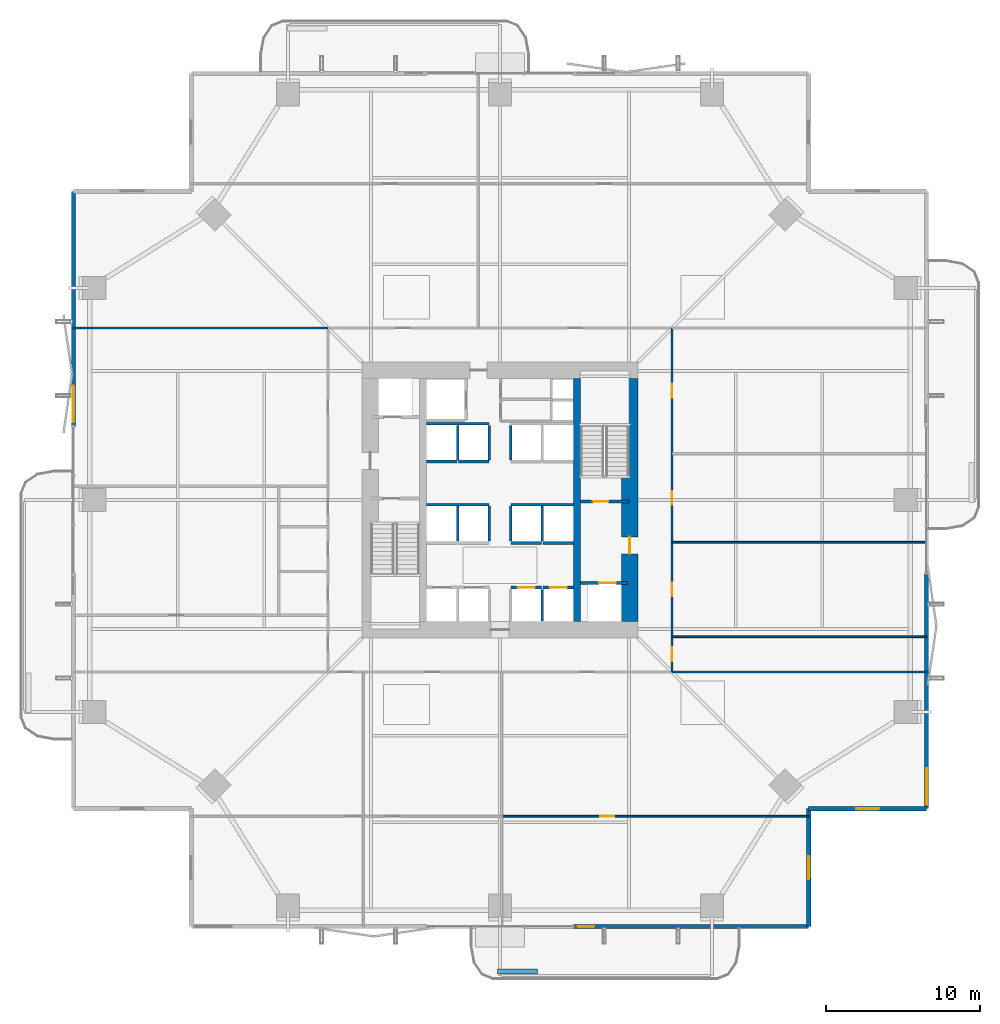
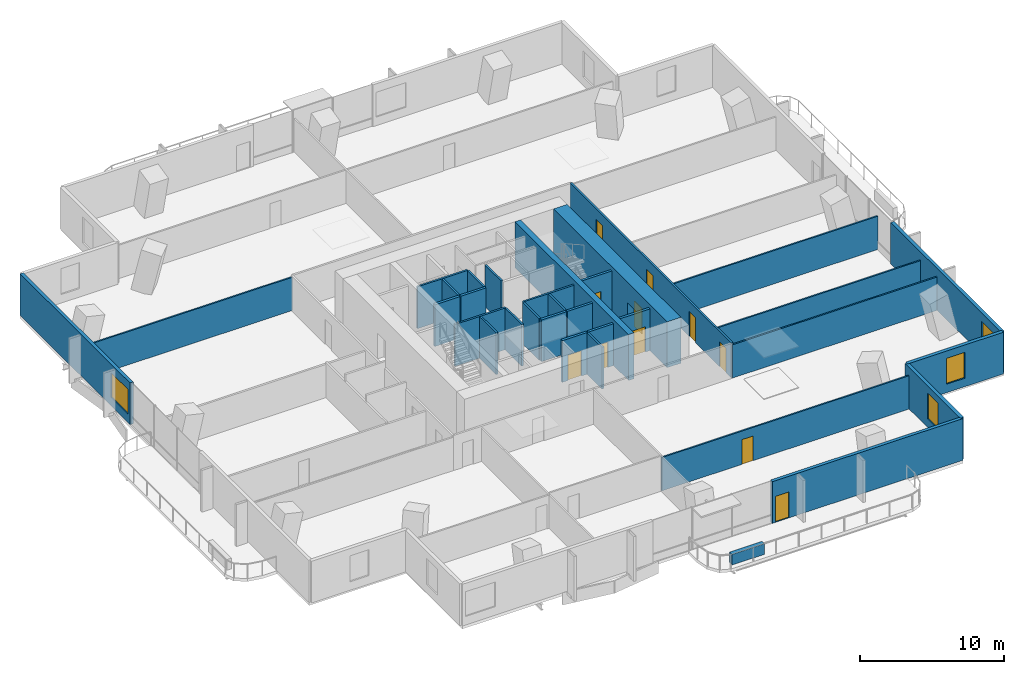
# One storey, part 18 of 24: 33 walls, 11 doors, 4 windows, 15 openings.
"""IFC4 building model written with IfcOpenShell, lengths in metres."""

import ifcopenshell
import ifcopenshell.guid

model = None  # the IFC model being written
_history = None  # IfcOwnerHistory: only IFC2X3 demands one
_inside = {}  # id of a spatial element -> (the spatial element, [elements in it])
_under = {}  # id of a project, library or spatial element -> (it, [spatial elements below it])
_declared = {}  # id of a project -> (the project, [libraries it declares])
_typed = {}  # id of a type object -> (the type object, [elements of that type])
_made_of = {}  # id of a material, layer set ... -> (it, [elements and type objects made of it])


def new_model(schema):
    """Start an empty IFC model of exactly this schema.

    Asked for "IFC4X3", IfcOpenShell would pick the latest addendum, in which some entities
    have other attributes; the version numbers below select the first issue.
    IFC2X3 requires an IfcOwnerHistory on every rooted entity: one is made here for all.
    """
    global model, _history
    if schema == "IFC4X3":
        model = ifcopenshell.file(schema_version=(4, 3, 0, 0))
    else:
        model = ifcopenshell.file(schema=schema)
    _inside.clear()
    _under.clear()
    _declared.clear()
    _typed.clear()
    _made_of.clear()
    _history = None
    if model.schema == "IFC2X3":
        org = make("IfcOrganization", Name="unknown")
        user = make(
            "IfcPersonAndOrganization",
            ThePerson=make("IfcPerson", FamilyName="unknown"),
            TheOrganization=org,
        )
        app = make(
            "IfcApplication",
            ApplicationDeveloper=org,
            Version="unknown",
            ApplicationFullName="unknown",
            ApplicationIdentifier="unknown",
        )
        _history = make(
            "IfcOwnerHistory",
            OwningUser=user,
            OwningApplication=app,
            ChangeAction="ADDED",
            CreationDate=0,
        )
    return model


def make(cls, **values):
    """One entity of the class cls with the attributes given. An attribute that is None is left unset."""
    return model.create_entity(
        cls, **{name: value for name, value in values.items() if value is not None}
    )


def rooted(cls, **values):
    """An entity with a GlobalId (a new one), such as an element, a storey or a relation."""
    return make(cls, GlobalId=ifcopenshell.guid.new(), OwnerHistory=_history, **values)


def si_unit(unit_type, name, prefix=None):
    """IfcSIUnit, for example si_unit("LENGTHUNIT", "METRE", prefix="MILLI")."""
    return make("IfcSIUnit", UnitType=unit_type, Prefix=prefix, Name=name)


def assignment(units):
    """IfcUnitAssignment: the units of a project."""
    return None if units is None else make("IfcUnitAssignment", Units=units)


def point(xyz):
    """IfcCartesianPoint."""
    return None if xyz is None else make("IfcCartesianPoint", Coordinates=xyz)


def direction(xyz):
    """IfcDirection."""
    return None if xyz is None else make("IfcDirection", DirectionRatios=xyz)


def frame(location, z_axis=None, x_axis=None):
    """IfcAxis2Placement3D, a coordinate frame: its origin and axes. An axis left out is left unset."""
    return make(
        "IfcAxis2Placement3D",
        Location=point(location),
        Axis=direction(z_axis),
        RefDirection=direction(x_axis),
    )


def frame_2d(location, x_axis=None):
    """IfcAxis2Placement2D, a coordinate frame in the plane: its origin and x axis."""
    return make(
        "IfcAxis2Placement2D", Location=point(location), RefDirection=direction(x_axis)
    )


def origin():
    """The frame at (0, 0, 0) with its axes left unset."""
    return frame((0.0, 0.0, 0.0))


def place(relative_to, where):
    """IfcLocalPlacement: puts the frame where relative to a parent placement (None: the world)."""
    return make(
        "IfcLocalPlacement", PlacementRelTo=relative_to, RelativePlacement=where
    )


def context(
    kind, dimensions, precision=None, world=None, true_north=None, identifier=None
):
    """IfcGeometricRepresentationContext, for example the 3D "Model" context."""
    return make(
        "IfcGeometricRepresentationContext",
        ContextIdentifier=identifier,
        ContextType=kind,
        CoordinateSpaceDimension=dimensions,
        Precision=precision,
        WorldCoordinateSystem=world,
        TrueNorth=true_north,
    )


def subcontext(parent, identifier, kind, view, scale=None):
    """IfcGeometricRepresentationSubContext, for example "Body" below "Model"."""
    return make(
        "IfcGeometricRepresentationSubContext",
        ContextIdentifier=identifier,
        ContextType=kind,
        ParentContext=parent,
        TargetScale=scale,
        TargetView=view,
    )


def project(units=None, contexts=None):
    """IfcProject with its units and contexts."""
    return rooted(
        "IfcProject",
        Name="project",
        RepresentationContexts=contexts,
        UnitsInContext=assignment(units),
    )


def spatial(cls, under=None, at=None, **own):
    """A site, building, storey or space (cls), placed at a placement, below another one or the project."""
    s = rooted(cls, ObjectPlacement=at, **own)
    if under is not None:
        _under.setdefault(under.id(), (under, []))[1].append(s)
    return s


def profile(cls, at=None, kind="AREA", **sizes):
    """A parametric profile (cls). Its sizes go by their IFC names, for example OverallWidth=200.0."""
    return make(cls, ProfileType=kind, Position=at, **sizes)


def rectangle(**sizes):
    """IfcRectangleProfileDef."""
    return profile("IfcRectangleProfileDef", **sizes)


def extrude(swept, where, along, depth):
    """IfcExtrudedAreaSolid: the profile swept, set in the frame where, extruded along a direction by depth."""
    return make(
        "IfcExtrudedAreaSolid",
        SweptArea=swept,
        Position=where,
        ExtrudedDirection=direction(along),
        Depth=depth,
    )


def shape(context_of_items, identifier, shape_type, items):
    """IfcShapeRepresentation: the items that make up one representation, for example the "Body"."""
    return make(
        "IfcShapeRepresentation",
        ContextOfItems=context_of_items,
        RepresentationIdentifier=identifier,
        RepresentationType=shape_type,
        Items=items,
    )


def material(Name=None, Category=None):
    """IfcMaterial."""
    return make("IfcMaterial", Name=Name, Category=Category)


def layer(
    of_material, thickness, ventilated=None, Name=None, Category=None, Priority=None
):
    """IfcMaterialLayer: one layer of a wall or slab, of a material (None: an air gap)."""
    return make(
        "IfcMaterialLayer",
        Material=of_material,
        LayerThickness=thickness,
        IsVentilated=ventilated,
        Name=Name,
        Category=Category,
        Priority=Priority,
    )


def layer_set(layers, Name=None):
    """IfcMaterialLayerSet."""
    return make("IfcMaterialLayerSet", MaterialLayers=layers, LayerSetName=Name)


def made_of(thing, what):
    """Note that an element or type object is made of a material, layer set ...; save() writes the relation."""
    if what is not None:
        _made_of.setdefault(what.id(), (what, []))[1].append(thing)
    return thing


def type_object(cls, material=None, **own):
    """A type object (cls), such as IfcWallType, which elements share."""
    return made_of(rooted(cls, **own), material)


def element(
    cls,
    number,
    at=None,
    inside=None,
    cuts=None,
    type_object=None,
    material=None,
    context=None,
    identifier="Body",
    shape_type=None,
    held_by="IfcProductDefinitionShape",
    body=None,
    shapes=None,
    **own,
):
    """One element of the class cls, such as IfcWall. Its Tag is "e" and its number.

    at: its placement. inside: the storey or other place that contains it. cuts: it is an
    opening in that element (IfcRelVoidsElement). A single representation is given by context,
    identifier, shape_type and body (its items); several are given by shapes. held_by: the class
    of the entity that holds the representations. save() writes the other relations.
    """
    e = rooted(cls, Tag="e%d" % number, ObjectPlacement=at, **own)
    if body is not None:
        shapes = [shape(context, identifier, shape_type, body)]
    if shapes is not None:
        e.Representation = make(held_by, Representations=shapes)
    if inside is not None:
        _inside.setdefault(inside.id(), (inside, []))[1].append(e)
    if cuts is not None:
        rooted(
            "IfcRelVoidsElement", RelatingBuildingElement=cuts, RelatedOpeningElement=e
        )
    if type_object is not None:
        _typed.setdefault(type_object.id(), (type_object, []))[1].append(e)
    return made_of(e, material)


def fill(opening, filler):
    """IfcRelFillsElement: the door or window that sits in an opening."""
    return rooted(
        "IfcRelFillsElement",
        RelatingOpeningElement=opening,
        RelatedBuildingElement=filler,
    )


def aggregate(whole, parts):
    """IfcRelAggregates: a whole, such as a stair, and the parts it consists of."""
    return rooted("IfcRelAggregates", RelatingObject=whole, RelatedObjects=parts)


def save(model, path):
    """Write the relations noted so far, then the file.

    IfcRelAggregates (storeys below a building ...), IfcRelContainedInSpatialStructure (elements
    in a storey), IfcRelDefinesByType, IfcRelAssociatesMaterial and IfcRelDeclares: one each for
    every whole, place, type object, material and project.
    """
    for whole, parts in _under.values():
        aggregate(whole, parts)
    for where, things in _inside.values():
        rooted(
            "IfcRelContainedInSpatialStructure",
            RelatedElements=things,
            RelatingStructure=where,
        )
    for kind, things in _typed.values():
        rooted("IfcRelDefinesByType", RelatedObjects=things, RelatingType=kind)
    for what, things in _made_of.values():
        rooted("IfcRelAssociatesMaterial", RelatedObjects=things, RelatingMaterial=what)
    for by, libraries in _declared.values():
        rooted("IfcRelDeclares", RelatingContext=by, RelatedDefinitions=libraries)
    model.write(path)


model = new_model("IFC4")

# Units and contexts
model_context = context("Model", 3, precision=1e-05, world=origin(), true_north=direction((0.0, 1.0)))
body_context = subcontext(model_context, "Body", "Model", "MODEL_VIEW")
ifc_project = project(units=[si_unit("LENGTHUNIT", "METRE"), si_unit("AREAUNIT", "SQUARE_METRE"), si_unit("VOLUMEUNIT", "CUBIC_METRE"), si_unit("PLANEANGLEUNIT", "RADIAN"), si_unit("MASSUNIT", "GRAM", prefix="KILO")], contexts=[model_context])

# Site, building, storey
site_placement = place(None, origin())
site = spatial("IfcSite", under=ifc_project, at=site_placement, CompositionType="ELEMENT")
building_placement = place(site_placement, origin())
building = spatial("IfcBuilding", under=site, at=building_placement, Name="Belovzor Exchange Tower", CompositionType="ELEMENT")
storey_placement = place(building_placement, frame((0.0, 0.0, 104.10009765625)))
storey = spatial("IfcBuildingStorey", under=building, at=storey_placement, Name="L25", CompositionType="ELEMENT", Elevation=104.10009765625)

# Wall, opening, door
ifc_material_1 = material(Name="Acoustic Plasterboard on Galvanised Studs", Category="gypsum")
ifc_layer_1 = layer(ifc_material_1, 0.1201171875)
ifc_layer_set_1 = layer_set([ifc_layer_1], Name="Acoustic Plasterboard on Galvanised Studs")
wall_type_1 = type_object("IfcWallType", Name="Acoustic Double-Stud Partition Wall 120", PredefinedType="PARTITIONING", material=ifc_layer_set_1)
wall_1_placement = place(storey_placement, frame((28.904052734375, 8.2119140625, 0.0), z_axis=(0.0, 0.0, 1.0), x_axis=(1.0, 0.0, 0.0)))
wall_1 = element("IfcWall", 1, at=wall_1_placement, inside=storey, type_object=wall_type_1, Name="W-P120 Partition Wall W-L25-SHDIV-2", PredefinedType="PARTITIONING", context=body_context, shape_type="SweptSolid", body=[
    extrude(rectangle(XDim=19.995849609375, YDim=0.1201171875, at=frame_2d((9.998046875, 0.0))), origin(), (0.0, 0.0, 1.0), 2.824951171875),
])
opening_1_placement = place(wall_1_placement, frame((6.431884765625, 0.0, 0.0)))
opening_1 = element("IfcOpeningElement", 2, at=opening_1_placement, cuts=wall_1, Name="Opening D-INT-090", PredefinedType="OPENING", context=body_context, shape_type="SweptSolid", body=[
    extrude(rectangle(XDim=0.89990234375, YDim=2.10009765625, at=frame_2d((0.449951171875, 1.050048828125))), frame((0.0, 0.070068359375, 0.0), z_axis=(0.0, -1.0, 0.0), x_axis=(1.0, 0.0, 0.0)), (0.0, 0.0, 1.0), 0.14013671875),
])
ifc_material_2 = material(Name="Veneered Hardwood Acoustic Leaf", Category="wood")
door_type_1 = type_object("IfcDoorType", Name="Trading Suite Acoustic Single Door 900x2100", OperationType="NOTDEFINED", PredefinedType="DOOR", material=ifc_material_2)
door_1_placement = place(opening_1_placement, origin())
door_1 = element("IfcDoor", 3, at=door_1_placement, inside=storey, type_object=door_type_1, Name="D-INT-090 Trading Suite Acoustic Single Door 900x2100", OperationType="SINGLE_SWING_LEFT", OverallHeight=2.10009765625, OverallWidth=0.89990234375, PredefinedType="DOOR", context=body_context, shape_type="SweptSolid", body=[
    extrude(rectangle(XDim=0.89990234375, YDim=2.10009765625, at=frame_2d((0.449951171875, 1.050048828125))), frame((0.0, 0.02490234375, 0.0), z_axis=(0.0, -1.0, 0.0), x_axis=(1.0, 0.0, 0.0)), (0.0, 0.0, 1.0), 0.050048828125),
])
fill(opening_1, door_1)

# Walls
for number, where, z_axis, x_axis, name in (
    (4, (40.0, 17.60009765625, 0.0), (0.0, 0.0, 1.0), (1.0, 0.0, 0.0), "W-P120 Partition Wall W-L25-END-SE"),
    (5, (1.030029296875, 40.0, 0.0), (0.0, 0.0, 1.0), (1.0, 0.0, 0.0), "W-P120 Partition Wall W-L25-END-NW"),
    (6, (40.0, 19.89990234375, 0.0), (0.0, 0.0, 1.0), (1.0, 0.0, 0.0), "W-P120 Partition Wall W-L25-EDIV-1"),
    (7, (40.0, 26.053955078125, 0.0), (0.0, 0.0, 1.0), (1.0, 0.0, 0.0), "W-P120 Partition Wall W-L25-EDIV-2"),
):
    element("IfcWall", number, at=place(storey_placement, frame(where, z_axis=z_axis, x_axis=x_axis)), inside=storey, type_object=wall_type_1, Name=name, PredefinedType="PARTITIONING", context=body_context, shape_type="SweptSolid", body=[
        extrude(rectangle(XDim=16.570068359375, YDim=0.1201171875, at=frame_2d((8.28515625, 0.0))), origin(), (0.0, 0.0, 1.0), 2.824951171875),
    ])

# Wall, openings, doors
ifc_material_3 = material(Name="Fire-Rated Gypsum Block and Mineral Wool", Category="gypsum")
ifc_layer_2 = layer(ifc_material_3, 0.14990234375)
ifc_layer_set_2 = layer_set([ifc_layer_2], Name="Fire-Rated Gypsum Block and Mineral Wool")
wall_type_2 = type_object("IfcWallType", Name="Fire-Rated Gypsum Block Corridor Wall 150", PredefinedType="PARTITIONING", material=ifc_layer_set_2)
wall_2_placement = place(storey_placement, frame((40.0, 17.60009765625, 0.0), z_axis=(0.0, 0.0, 1.0), x_axis=(0.0, 1.0, 0.0)))
wall_2 = element("IfcWall", 8, at=wall_2_placement, inside=storey, type_object=wall_type_2, Name="W-P150 Partition Wall W-L25-CE", PredefinedType="PARTITIONING", context=body_context, shape_type="SweptSolid", body=[
    extrude(rectangle(XDim=22.39990234375, YDim=0.14990234375, at=frame_2d((11.199951171875, 0.0))), origin(), (0.0, 0.0, 1.0), 2.974853515625),
])
opening_2_placement = place(wall_2_placement, frame((0.699951171875, 0.0, 0.0)))
opening_2 = element("IfcOpeningElement", 9, at=opening_2_placement, cuts=wall_2, Name="Opening D-INT-090", PredefinedType="OPENING", context=body_context, shape_type="SweptSolid", body=[
    extrude(rectangle(XDim=0.89990234375, YDim=2.10009765625, at=frame_2d((0.449951171875, 1.050048828125))), frame((0.0, 0.0849609375, 0.0), z_axis=(0.0, -1.0, 0.0), x_axis=(1.0, 0.0, 0.0)), (0.0, 0.0, 1.0), 0.169921875),
])
opening_3_placement = place(wall_2_placement, frame((4.927001953125, 0.0, 0.0)))
opening_3 = element("IfcOpeningElement", 10, at=opening_3_placement, cuts=wall_2, Name="Opening D-INT-090", PredefinedType="OPENING", context=body_context, shape_type="SweptSolid", body=[
    extrude(rectangle(XDim=0.89990234375, YDim=2.10009765625, at=frame_2d((0.449951171875, 1.050048828125))), frame((0.0, 0.0849609375, 0.0), z_axis=(0.0, -1.0, 0.0), x_axis=(1.0, 0.0, 0.0)), (0.0, 0.0, 1.0), 0.169921875),
])
opening_4_placement = place(wall_2_placement, frame((10.885986328125, 0.0, 0.0)))
opening_4 = element("IfcOpeningElement", 11, at=opening_4_placement, cuts=wall_2, Name="Opening D-INT-090", PredefinedType="OPENING", context=body_context, shape_type="SweptSolid", body=[
    extrude(rectangle(XDim=0.89990234375, YDim=2.10009765625, at=frame_2d((0.449951171875, 1.050048828125))), frame((0.0, 0.0849609375, 0.0), z_axis=(0.0, -1.0, 0.0), x_axis=(1.0, 0.0, 0.0)), (0.0, 0.0, 1.0), 0.169921875),
])
opening_5_placement = place(wall_2_placement, frame((17.85888671875, 0.0, 0.0)))
opening_5 = element("IfcOpeningElement", 12, at=opening_5_placement, cuts=wall_2, Name="Opening D-INT-090", PredefinedType="OPENING", context=body_context, shape_type="SweptSolid", body=[
    extrude(rectangle(XDim=0.89990234375, YDim=2.10009765625, at=frame_2d((0.449951171875, 1.050048828125))), frame((0.0, 0.0849609375, 0.0), z_axis=(0.0, -1.0, 0.0), x_axis=(1.0, 0.0, 0.0)), (0.0, 0.0, 1.0), 0.169921875),
])
door_2_placement = place(opening_2_placement, origin())
door_2 = element("IfcDoor", 13, at=door_2_placement, inside=storey, type_object=door_type_1, Name="D-INT-090 Trading Suite Acoustic Single Door 900x2100", OperationType="SINGLE_SWING_LEFT", OverallHeight=2.10009765625, OverallWidth=0.89990234375, PredefinedType="DOOR", context=body_context, shape_type="SweptSolid", body=[
    extrude(rectangle(XDim=0.89990234375, YDim=2.10009765625, at=frame_2d((0.449951171875, 1.050048828125))), frame((0.0, 0.02490234375, 0.0), z_axis=(0.0, -1.0, 0.0), x_axis=(1.0, 0.0, 0.0)), (0.0, 0.0, 1.0), 0.050048828125),
])
fill(opening_2, door_2)
door_3_placement = place(opening_3_placement, origin())
door_3 = element("IfcDoor", 14, at=door_3_placement, inside=storey, type_object=door_type_1, Name="D-INT-090 Trading Suite Acoustic Single Door 900x2100", OperationType="SINGLE_SWING_RIGHT", OverallHeight=2.10009765625, OverallWidth=0.89990234375, PredefinedType="DOOR", context=body_context, shape_type="SweptSolid", body=[
    extrude(rectangle(XDim=0.89990234375, YDim=2.10009765625, at=frame_2d((0.449951171875, 1.050048828125))), frame((0.0, 0.02490234375, 0.0), z_axis=(0.0, -1.0, 0.0), x_axis=(1.0, 0.0, 0.0)), (0.0, 0.0, 1.0), 0.050048828125),
])
fill(opening_3, door_3)
door_4_placement = place(opening_4_placement, origin())
door_4 = element("IfcDoor", 15, at=door_4_placement, inside=storey, type_object=door_type_1, Name="D-INT-090 Trading Suite Acoustic Single Door 900x2100", OperationType="SINGLE_SWING_LEFT", OverallHeight=2.10009765625, OverallWidth=0.89990234375, PredefinedType="DOOR", context=body_context, shape_type="SweptSolid", body=[
    extrude(rectangle(XDim=0.89990234375, YDim=2.10009765625, at=frame_2d((0.449951171875, 1.050048828125))), frame((0.0, 0.02490234375, 0.0), z_axis=(0.0, -1.0, 0.0), x_axis=(1.0, 0.0, 0.0)), (0.0, 0.0, 1.0), 0.050048828125),
])
fill(opening_4, door_4)
door_5_placement = place(opening_5_placement, origin())
door_5 = element("IfcDoor", 16, at=door_5_placement, inside=storey, type_object=door_type_1, Name="D-INT-090 Trading Suite Acoustic Single Door 900x2100", OperationType="SINGLE_SWING_RIGHT", OverallHeight=2.10009765625, OverallWidth=0.89990234375, PredefinedType="DOOR", context=body_context, shape_type="SweptSolid", body=[
    extrude(rectangle(XDim=0.89990234375, YDim=2.10009765625, at=frame_2d((0.449951171875, 1.050048828125))), frame((0.0, 0.02490234375, 0.0), z_axis=(0.0, -1.0, 0.0), x_axis=(1.0, 0.0, 0.0)), (0.0, 0.0, 1.0), 0.050048828125),
])
fill(opening_5, door_5)

# Wall, opening, window
ifc_material_4 = material(Name="Precast concrete C40/50", Category="concrete")
ifc_layer_3 = layer(ifc_material_4, 0.280029296875)
ifc_layer_set_3 = layer_set([ifc_layer_3], Name="Precast concrete C40/50")
wall_type_3 = type_object("IfcWallType", Name="Precast Concrete Notched Corner Frame Wall 280", PredefinedType="SOLIDWALL", material=ifc_layer_set_3)
wall_3_placement = place(storey_placement, frame((56.570068359375, 8.699951171875, 0.0), z_axis=(0.0, 0.0, 1.0), x_axis=(-1.0, 0.0, 0.0)))
wall_3 = element("IfcWall", 17, at=wall_3_placement, inside=storey, type_object=wall_type_3, Name="W-CRN280 Precast Concrete Notched Corner Frame Wall 280 L25", PredefinedType="SOLIDWALL", context=body_context, shape_type="SweptSolid", body=[
    extrude(rectangle(XDim=7.670166015625, YDim=0.280029296875, at=frame_2d((3.8349609375, 0.0))), origin(), (0.0, 0.0, 1.0), 3.539794921875),
])
opening_6_placement = place(wall_3_placement, frame((3.0849609375, 0.0, 0.719970703125)))
opening_6 = element("IfcOpeningElement", 18, at=opening_6_placement, cuts=wall_3, Name="Opening WN-CRN150", PredefinedType="OPENING", context=body_context, shape_type="SweptSolid", body=[
    extrude(rectangle(XDim=1.5, YDim=2.199951171875, at=frame_2d((0.75, 1.10009765625))), frame((0.0, 0.14990234375, 0.0), z_axis=(0.0, -1.0, 0.0), x_axis=(1.0, 0.0, 0.0)), (0.0, 0.0, 1.0), 0.300048828125),
])
ifc_material_5 = material(Name="Thermally Broken Aluminium and Triple Glazing", Category="aluminium")
window_type_1 = type_object("IfcWindowType", Name="Streamline Notched Corner Window 1500x2200", PartitioningType="SINGLE_PANEL", PredefinedType="WINDOW", material=ifc_material_5)
window_1_placement = place(opening_6_placement, origin())
window_1 = element("IfcWindow", 19, at=window_1_placement, inside=storey, type_object=window_type_1, Name="WN-CRN150 Streamline Notched Corner Window 1500x2200", OverallHeight=2.199951171875, OverallWidth=1.5, PartitioningType="SINGLE_PANEL", PredefinedType="WINDOW", context=body_context, shape_type="SweptSolid", body=[
    extrude(rectangle(XDim=1.5, YDim=2.199951171875, at=frame_2d((0.75, 1.10009765625))), frame((0.0, 0.030029296875, 0.0), z_axis=(0.0, -1.0, 0.0), x_axis=(1.0, 0.0, 0.0)), (0.0, 0.0, 1.0), 0.06005859375),
])
fill(opening_6, window_1)

wall_4_placement = place(storey_placement, frame((48.89990234375, 8.699951171875, 0.0), z_axis=(0.0, 0.0, 1.0), x_axis=(0.0, -1.0, 0.0)))
wall_4 = element("IfcWall", 20, at=wall_4_placement, inside=storey, type_object=wall_type_3, Name="W-CRN280 Precast Concrete Notched Corner Frame Wall 280 L25", PredefinedType="SOLIDWALL", context=body_context, shape_type="SweptSolid", body=[
    extrude(rectangle(XDim=7.669921875, YDim=0.280029296875, at=frame_2d((3.8349609375, 0.0))), origin(), (0.0, 0.0, 1.0), 3.539794921875),
])
opening_7_placement = place(wall_4_placement, frame((3.0849609375, 0.0, 0.719970703125)))
opening_7 = element("IfcOpeningElement", 21, at=opening_7_placement, cuts=wall_4, Name="Opening WN-CRN150", PredefinedType="OPENING", context=body_context, shape_type="SweptSolid", body=[
    extrude(rectangle(XDim=1.5, YDim=2.199951171875, at=frame_2d((0.75, 1.10009765625))), frame((0.0, 0.14990234375, 0.0), z_axis=(0.0, -1.0, 0.0), x_axis=(1.0, 0.0, 0.0)), (0.0, 0.0, 1.0), 0.300048828125),
])
window_2_placement = place(opening_7_placement, origin())
window_2 = element("IfcWindow", 22, at=window_2_placement, inside=storey, type_object=window_type_1, Name="WN-CRN150 Streamline Notched Corner Window 1500x2200", OverallHeight=2.199951171875, OverallWidth=1.5, PartitioningType="SINGLE_PANEL", PredefinedType="WINDOW", context=body_context, shape_type="SweptSolid", body=[
    extrude(rectangle(XDim=1.5, YDim=2.199951171875, at=frame_2d((0.75, 1.10009765625))), frame((0.0, 0.030029296875, 0.0), z_axis=(0.0, -1.0, 0.0), x_axis=(1.0, 0.0, 0.0)), (0.0, 0.0, 1.0), 0.06005859375),
])
fill(opening_7, window_2)

# Wall, opening, door
ifc_material_6 = material(Name="Precast concrete C40/50", Category="concrete")
ifc_layer_4 = layer(ifc_material_6, 0.260009765625)
ifc_layer_set_4 = layer_set([ifc_layer_4], Name="Precast concrete C40/50")
wall_type_4 = type_object("IfcWallType", Name="Precast Concrete Perimeter Loggia Frame Wall 260", PredefinedType="SOLIDWALL", material=ifc_layer_set_4)
wall_5_placement = place(storey_placement, frame((48.89990234375, 1.030029296875, 0.0), z_axis=(0.0, 0.0, 1.0), x_axis=(-1.0, 0.0, 0.0)))
wall_5 = element("IfcWall", 23, at=wall_5_placement, inside=storey, type_object=wall_type_4, Name="W-EXT260 Precast Concrete Perimeter Loggia Frame Wall 260 L25", PredefinedType="SOLIDWALL", context=body_context, shape_type="SweptSolid", body=[
    extrude(rectangle(XDim=15.2998046875, YDim=0.260009765625, at=frame_2d((7.64990234375, 0.0))), origin(), (0.0, 0.0, 1.0), 3.539794921875),
])
opening_8_placement = place(wall_5_placement, frame((13.949951171875, 0.0, 0.0)))
opening_8 = element("IfcOpeningElement", 24, at=opening_8_placement, cuts=wall_5, Name="Opening D-BAL110", PredefinedType="OPENING", context=body_context, shape_type="SweptSolid", body=[
    extrude(rectangle(XDim=1.10009765625, YDim=2.199951171875, at=frame_2d((0.550048828125, 1.10009765625))), frame((0.0, 0.139892578125, 0.0), z_axis=(0.0, -1.0, 0.0), x_axis=(1.0, 0.0, 0.0)), (0.0, 0.0, 1.0), 0.280029296875),
])
ifc_material_7 = material(Name="Thermally Broken Anodised Aluminium and Laminated Glass", Category="aluminium")
door_type_2 = type_object("IfcDoorType", Name="Planted Loggia Terrace Glazed Door 1100x2200", OperationType="SINGLE_SWING_LEFT", PredefinedType="DOOR", material=ifc_material_7)
door_6_placement = place(opening_8_placement, origin())
door_6 = element("IfcDoor", 25, at=door_6_placement, inside=storey, type_object=door_type_2, Name="D-BAL110 Balcony Terrace Door L25 S", OperationType="SINGLE_SWING_LEFT", OverallHeight=2.199951171875, OverallWidth=1.10009765625, PredefinedType="DOOR", context=body_context, shape_type="SweptSolid", body=[
    extrude(rectangle(XDim=1.10009765625, YDim=2.199951171875, at=frame_2d((0.550048828125, 1.10009765625))), frame((0.0, 0.02490234375, 0.0), z_axis=(0.0, -1.0, 0.0), x_axis=(1.0, 0.0, 0.0)), (0.0, 0.0, 1.0), 0.050048828125),
])
fill(opening_8, door_6)

# Wall, opening, window
wall_6_placement = place(storey_placement, frame((1.030029296875, 33.60009765625, 0.0), z_axis=(0.0, 0.0, 1.0), x_axis=(0.0, 1.0, 0.0)))
wall_6 = element("IfcWall", 26, at=wall_6_placement, inside=storey, type_object=wall_type_4, Name="W-EXT260 Precast Concrete Perimeter Loggia Frame Wall 260 L25", PredefinedType="SOLIDWALL", context=body_context, shape_type="SweptSolid", body=[
    extrude(rectangle(XDim=15.2998046875, YDim=0.260009765625, at=frame_2d((7.64990234375, 0.0))), origin(), (0.0, 0.0, 1.0), 3.539794921875),
])
opening_9_placement = place(wall_6_placement, frame((0.25, 0.0, 0.719970703125)))
opening_9 = element("IfcOpeningElement", 27, at=opening_9_placement, cuts=wall_6, Name="Opening WN-LOG240", PredefinedType="OPENING", context=body_context, shape_type="SweptSolid", body=[
    extrude(rectangle(XDim=2.39990234375, YDim=2.10009765625, at=frame_2d((1.199951171875, 1.050048828125))), frame((0.0, 0.139892578125, 0.0), z_axis=(0.0, -1.0, 0.0), x_axis=(1.0, 0.0, 0.0)), (0.0, 0.0, 1.0), 0.280029296875),
])
ifc_material_8 = material(Name="Thermally Broken Aluminium and Triple Glazing", Category="aluminium")
window_type_2 = type_object("IfcWindowType", Name="Triple-Glazed Loggia Ribbon Window 2400x2100", PartitioningType="SINGLE_PANEL", PredefinedType="WINDOW", material=ifc_material_8)
window_3_placement = place(opening_9_placement, origin())
window_3 = element("IfcWindow", 28, at=window_3_placement, inside=storey, type_object=window_type_2, Name="WN-LOG240 Triple-Glazed Loggia Ribbon Window 2400x2100", OverallHeight=2.10009765625, OverallWidth=2.39990234375, PartitioningType="SINGLE_PANEL", PredefinedType="WINDOW", context=body_context, shape_type="SweptSolid", body=[
    extrude(rectangle(XDim=2.39990234375, YDim=2.10009765625, at=frame_2d((1.199951171875, 1.050048828125))), frame((0.0, 0.030029296875, 0.0), z_axis=(0.0, -1.0, 0.0), x_axis=(1.0, 0.0, 0.0)), (0.0, 0.0, 1.0), 0.06005859375),
])
fill(opening_9, window_3)

wall_7_placement = place(storey_placement, frame((56.570068359375, 24.0, 0.0), z_axis=(0.0, 0.0, 1.0), x_axis=(0.0, -1.0, 0.0)))
wall_7 = element("IfcWall", 29, at=wall_7_placement, inside=storey, type_object=wall_type_4, Name="W-EXT260 Precast Concrete Perimeter Loggia Frame Wall 260 L25", PredefinedType="SOLIDWALL", context=body_context, shape_type="SweptSolid", body=[
    extrude(rectangle(XDim=15.300048828125, YDim=0.260009765625, at=frame_2d((7.64990234375, 0.0))), origin(), (0.0, 0.0, 1.0), 3.539794921875),
])
opening_10_placement = place(wall_7_placement, frame((12.64990234375, 0.0, 0.719970703125)))
opening_10 = element("IfcOpeningElement", 30, at=opening_10_placement, cuts=wall_7, Name="Opening WN-LOG240", PredefinedType="OPENING", context=body_context, shape_type="SweptSolid", body=[
    extrude(rectangle(XDim=2.39990234375, YDim=2.10009765625, at=frame_2d((1.199951171875, 1.050048828125))), frame((0.0, 0.139892578125, 0.0), z_axis=(0.0, -1.0, 0.0), x_axis=(1.0, 0.0, 0.0)), (0.0, 0.0, 1.0), 0.280029296875),
])
window_4_placement = place(opening_10_placement, origin())
window_4 = element("IfcWindow", 31, at=window_4_placement, inside=storey, type_object=window_type_2, Name="WN-LOG240 Triple-Glazed Loggia Ribbon Window 2400x2100", OverallHeight=2.10009765625, OverallWidth=2.39990234375, PartitioningType="SINGLE_PANEL", PredefinedType="WINDOW", context=body_context, shape_type="SweptSolid", body=[
    extrude(rectangle(XDim=2.39990234375, YDim=2.10009765625, at=frame_2d((1.199951171875, 1.050048828125))), frame((0.0, 0.030029296875, 0.0), z_axis=(0.0, -1.0, 0.0), x_axis=(1.0, 0.0, 0.0)), (0.0, 0.0, 1.0), 0.06005859375),
])
fill(opening_10, window_4)

# Walls
ifc_material_9 = material(Name="Precast concrete C40/50", Category="concrete")
ifc_layer_5 = layer(ifc_material_9, 0.35009765625)
ifc_layer_set_5 = layer_set([ifc_layer_5], Name="Precast concrete C40/50")
wall_type_5 = type_object("IfcWallType", Name="Precast Concrete Structural Tree Planter Trough 350", PredefinedType="PARAPET", material=ifc_layer_set_5)
wall_8_placement = place(storey_placement, frame((28.64990234375, -1.89990234375, 0.0), z_axis=(0.0, 0.0, 1.0), x_axis=(1.0, 0.0, 0.0)))
element("IfcWall", 32, at=wall_8_placement, inside=storey, type_object=wall_type_5, Name="PT-350 Precast Concrete Structural Tree Planter Trough 350 L25", PredefinedType="PARAPET", context=body_context, shape_type="SweptSolid", body=[
    extrude(rectangle(XDim=2.60009765625, YDim=0.35009765625, at=frame_2d((1.300048828125, 0.0))), origin(), (0.0, 0.0, 1.0), 0.89990234375),
])
ifc_material_10 = material(Name="Concrete C50/60", Category="concrete")
ifc_layer_6 = layer(ifc_material_10, 0.449951171875)
ifc_layer_set_6 = layer_set([ifc_layer_6], Name="Concrete C50/60")
wall_type_6 = type_object("IfcWallType", Name="Reinforced Concrete Core Internal Web Wall 450", PredefinedType="SHEAR", material=ifc_layer_set_6)
wall_9_placement = place(storey_placement, frame((33.824951171875, 20.89990234375, 0.0), z_axis=(0.0, 0.0, 1.0), x_axis=(0.0, 1.0, 0.0)))
element("IfcWall", 33, at=wall_9_placement, inside=storey, type_object=wall_type_6, Name="CW-W045 Core Internal Web Wall L25 ER", PredefinedType="SHEAR", context=body_context, shape_type="SweptSolid", body=[
    extrude(rectangle(XDim=15.800048828125, YDim=0.449951171875, at=frame_2d((7.89990234375, 0.0))), origin(), (0.0, 0.0, 1.0), 3.89990234375),
])
ifc_material_11 = material(Name="Concrete C50/60", Category="concrete")
ifc_layer_7 = layer(ifc_material_11, 0.14990234375)
ifc_layer_set_7 = layer_set([ifc_layer_7], Name="Concrete C50/60")
wall_type_7 = type_object("IfcWallType", Name="Reinforced Concrete Core Riser Shear Wall 150", PredefinedType="SHEAR", material=ifc_layer_set_7)
wall_10_placement = place(storey_placement, frame((31.550048828125, 20.919921875, 0.0), z_axis=(0.0, 0.0, 1.0), x_axis=(0.0, 1.0, 0.0)))
element("IfcWall", 34, at=wall_10_placement, inside=storey, type_object=wall_type_7, Name="W-C150S Core Shaft Wall W-SHD-L25-PLL-4", PredefinedType="SHEAR", context=body_context, shape_type="SweptSolid", body=[
    extrude(rectangle(XDim=2.06005859375, YDim=0.14990234375, at=frame_2d((1.030029296875, 0.0))), origin(), (0.0, 0.0, 1.0), 3.539794921875),
])
for number, where, z_axis, x_axis, name in (
    (35, (24.02001953125, 28.5, 0.0), (0.0, 0.0, 1.0), (1.0, 0.0, 0.0), "W-C150S Core Shaft Wall W-SHB-L25-PLM-NW"),
    (36, (29.5, 28.5, 0.0), (0.0, 0.0, 1.0), (1.0, 0.0, 0.0), "W-C150S Core Shaft Wall W-SHB-L25-PLM-NE"),
):
    element("IfcWall", number, at=place(storey_placement, frame(where, z_axis=z_axis, x_axis=x_axis)), inside=storey, type_object=wall_type_7, Name=name, PredefinedType="SHEAR", context=body_context, shape_type="SweptSolid", body=[
        extrude(rectangle(XDim=4.080078125, YDim=0.14990234375, at=frame_2d((2.0400390625, 0.0))), origin(), (0.0, 0.0, 1.0), 3.539794921875),
    ])
for number, where, z_axis, x_axis, name in (
    (37, (26.050048828125, 26.1201171875, 0.0), (0.0, 0.0, 1.0), (0.0, 1.0, 0.0), "W-C150S Core Shaft Wall W-SHD-L25-PLM-1"),
    (38, (28.10009765625, 26.1201171875, 0.0), (0.0, 0.0, 1.0), (0.0, 1.0, 0.0), "W-C150S Core Shaft Wall W-SHD-L25-PLM-2"),
    (39, (29.5, 26.1201171875, 0.0), (0.0, 0.0, 1.0), (0.0, 1.0, 0.0), "W-C150S Core Shaft Wall W-SHD-L25-PLM-3"),
    (40, (31.550048828125, 26.1201171875, 0.0), (0.0, 0.0, 1.0), (0.0, 1.0, 0.0), "W-C150S Core Shaft Wall W-SHD-L25-PLM-4"),
):
    element("IfcWall", number, at=place(storey_placement, frame(where, z_axis=z_axis, x_axis=x_axis)), inside=storey, type_object=wall_type_7, Name=name, PredefinedType="SHEAR", context=body_context, shape_type="SweptSolid", body=[
        extrude(rectangle(XDim=2.27978515625, YDim=0.14990234375, at=frame_2d((1.139892578125, 0.0))), origin(), (0.0, 0.0, 1.0), 3.539794921875),
    ])
wall_11_placement = place(storey_placement, frame((24.02001953125, 33.760009765625, 0.0), z_axis=(0.0, 0.0, 1.0), x_axis=(1.0, 0.0, 0.0)))
element("IfcWall", 41, at=wall_11_placement, inside=storey, type_object=wall_type_7, Name="W-C150S Core Shaft Wall W-SHB-L25-PLH-NW", PredefinedType="SHEAR", context=body_context, shape_type="SweptSolid", body=[
    extrude(rectangle(XDim=4.080078125, YDim=0.14990234375, at=frame_2d((2.0400390625, 0.0))), origin(), (0.0, 0.0, 1.0), 3.539794921875),
])
for number, where, z_axis, x_axis, name in (
    (42, (26.050048828125, 31.419921875, 0.0), (0.0, 0.0, 1.0), (0.0, 1.0, 0.0), "W-C150S Core Shaft Wall W-SHD-L25-PLH-1"),
    (43, (28.10009765625, 31.419921875, 0.0), (0.0, 0.0, 1.0), (0.0, 1.0, 0.0), "W-C150S Core Shaft Wall W-SHD-L25-PLH-2"),
    (44, (29.5, 31.419921875, 0.0), (0.0, 0.0, 1.0), (0.0, 1.0, 0.0), "W-C150S Core Shaft Wall W-SHD-L25-PLH-3"),
):
    element("IfcWall", number, at=place(storey_placement, frame(where, z_axis=z_axis, x_axis=x_axis)), inside=storey, type_object=wall_type_7, Name=name, PredefinedType="SHEAR", context=body_context, shape_type="SweptSolid", body=[
        extrude(rectangle(XDim=2.239990234375, YDim=0.14990234375, at=frame_2d((1.1201171875, 0.0))), origin(), (0.0, 0.0, 1.0), 3.539794921875),
    ])

# Wall, opening, door
ifc_material_12 = material(Name="Concrete C50/60", Category="concrete")
ifc_layer_8 = layer(ifc_material_12, 0.199951171875)
ifc_layer_set_8 = layer_set([ifc_layer_8], Name="Concrete C50/60")
wall_type_8 = type_object("IfcWallType", Name="Reinforced Concrete Core Shaft Shear Wall 200", PredefinedType="SHEAR", material=ifc_layer_set_8)
wall_12_placement = place(storey_placement, frame((34.050048828125, 28.699951171875, 0.0), z_axis=(0.0, 0.0, 1.0), x_axis=(1.0, 0.0, 0.0)))
wall_12 = element("IfcWall", 45, at=wall_12_placement, inside=storey, type_object=wall_type_8, Name="W-C200S Core Shaft Wall W-CORE-L25-FFLE2", PredefinedType="SHEAR", context=body_context, shape_type="SweptSolid", body=[
    extrude(rectangle(XDim=3.14990234375, YDim=0.199951171875, at=frame_2d((1.574951171875, 0.0))), origin(), (0.0, 0.0, 1.0), 3.539794921875),
])
opening_11_placement = place(wall_12_placement, frame((0.800048828125, 0.0, 0.0)))
opening_11 = element("IfcOpeningElement", 46, at=opening_11_placement, cuts=wall_12, Name="Opening D-FD90-100", PredefinedType="OPENING", context=body_context, shape_type="SweptSolid", body=[
    extrude(rectangle(XDim=1.0, YDim=2.10009765625, at=frame_2d((0.5, 1.050048828125))), frame((0.0, 0.10986328125, 0.0), z_axis=(0.0, -1.0, 0.0), x_axis=(1.0, 0.0, 0.0)), (0.0, 0.0, 1.0), 0.219970703125),
])
ifc_material_13 = material(Name="Fire-Rated Galvanised Steel Leaf", Category="steel")
door_type_3 = type_object("IfcDoorType", Name="Protected Stairwell Single Fire Door 1000x2100", OperationType="NOTDEFINED", PredefinedType="DOOR", material=ifc_material_13)
door_7_placement = place(opening_11_placement, origin())
door_7 = element("IfcDoor", 47, at=door_7_placement, inside=storey, type_object=door_type_3, Name="D-FD90-100 Protected Stairwell Single Fire Door 1000x2100", OperationType="SINGLE_SWING_LEFT", OverallHeight=2.10009765625, OverallWidth=1.0, PredefinedType="DOOR", context=body_context, shape_type="SweptSolid", body=[
    extrude(rectangle(XDim=1.0, YDim=2.10009765625, at=frame_2d((0.5, 1.050048828125))), frame((0.0, 0.02490234375, 0.0), z_axis=(0.0, -1.0, 0.0), x_axis=(1.0, 0.0, 0.0)), (0.0, 0.0, 1.0), 0.050048828125),
])
fill(opening_11, door_7)

wall_13_placement = place(storey_placement, frame((34.050048828125, 23.39990234375, 0.0), z_axis=(0.0, 0.0, 1.0), x_axis=(1.0, 0.0, 0.0)))
wall_13 = element("IfcWall", 48, at=wall_13_placement, inside=storey, type_object=wall_type_8, Name="W-C200S Core Shaft Wall W-SH-L25-FFL-02", PredefinedType="SHEAR", context=body_context, shape_type="SweptSolid", body=[
    extrude(rectangle(XDim=3.050048828125, YDim=0.199951171875, at=frame_2d((1.52490234375, 0.0))), origin(), (0.0, 0.0, 1.0), 3.539794921875),
])
opening_12_placement = place(wall_13_placement, frame((1.199951171875, 0.0, 0.0)))
opening_12 = element("IfcOpeningElement", 49, at=opening_12_placement, cuts=wall_13, Name="Opening LD-110", PredefinedType="OPENING", context=body_context, shape_type="SweptSolid", body=[
    extrude(rectangle(XDim=1.10009765625, YDim=2.14990234375, at=frame_2d((0.550048828125, 1.074951171875))), frame((0.0, 0.10986328125, 0.0), z_axis=(0.0, -1.0, 0.0), x_axis=(1.0, 0.0, 0.0)), (0.0, 0.0, 1.0), 0.219970703125),
])
ifc_material_14 = material(Name="Stainless Steel Grade 304", Category="steel")
door_type_4 = type_object("IfcDoorType", Name="Automated Stainless Steel Lift Landing Door 1100x2150", OperationType="SLIDING_TO_RIGHT", PredefinedType="DOOR", material=ifc_material_14)
door_8_placement = place(opening_12_placement, origin())
door_8 = element("IfcDoor", 50, at=door_8_placement, inside=storey, type_object=door_type_4, Name="LD-110 Automated Stainless Steel Lift Landing Door 1100x2150", OperationType="SLIDING_TO_RIGHT", OverallHeight=2.14990234375, OverallWidth=1.10009765625, PredefinedType="DOOR", context=body_context, shape_type="SweptSolid", body=[
    extrude(rectangle(XDim=1.10009765625, YDim=2.14990234375, at=frame_2d((0.550048828125, 1.074951171875))), frame((0.0, 0.02490234375, 0.0), z_axis=(0.0, -1.0, 0.0), x_axis=(1.0, 0.0, 0.0)), (0.0, 0.0, 1.0), 0.050048828125),
])
fill(opening_12, door_8)

wall_14_placement = place(storey_placement, frame((29.5, 23.10009765625, 0.0), z_axis=(0.0, 0.0, 1.0), x_axis=(1.0, 0.0, 0.0)))
wall_14 = element("IfcWall", 51, at=wall_14_placement, inside=storey, type_object=wall_type_8, Name="W-C200S Core Shaft Wall W-SH-L25-PL-L3", PredefinedType="SHEAR", context=body_context, shape_type="SweptSolid", body=[
    extrude(rectangle(XDim=2.0, YDim=0.199951171875, at=frame_2d((1.0, 0.0))), origin(), (0.0, 0.0, 1.0), 3.539794921875),
])
opening_13_placement = place(wall_14_placement, frame((0.449951171875, 0.0, 0.0)))
opening_13 = element("IfcOpeningElement", 52, at=opening_13_placement, cuts=wall_14, Name="Opening LD-110", PredefinedType="OPENING", context=body_context, shape_type="SweptSolid", body=[
    extrude(rectangle(XDim=1.10009765625, YDim=2.14990234375, at=frame_2d((0.550048828125, 1.074951171875))), frame((0.0, 0.10986328125, 0.0), z_axis=(0.0, -1.0, 0.0), x_axis=(1.0, 0.0, 0.0)), (0.0, 0.0, 1.0), 0.219970703125),
])
door_9_placement = place(opening_13_placement, origin())
door_9 = element("IfcDoor", 53, at=door_9_placement, inside=storey, type_object=door_type_4, Name="LD-110 Automated Stainless Steel Lift Landing Door 1100x2150", OperationType="SLIDING_TO_RIGHT", OverallHeight=2.14990234375, OverallWidth=1.10009765625, PredefinedType="DOOR", context=body_context, shape_type="SweptSolid", body=[
    extrude(rectangle(XDim=1.10009765625, YDim=2.14990234375, at=frame_2d((0.550048828125, 1.074951171875))), frame((0.0, 0.02490234375, 0.0), z_axis=(0.0, -1.0, 0.0), x_axis=(1.0, 0.0, 0.0)), (0.0, 0.0, 1.0), 0.050048828125),
])
fill(opening_13, door_9)

wall_15_placement = place(storey_placement, frame((31.60009765625, 23.10009765625, 0.0), z_axis=(0.0, 0.0, 1.0), x_axis=(1.0, 0.0, 0.0)))
wall_15 = element("IfcWall", 54, at=wall_15_placement, inside=storey, type_object=wall_type_8, Name="W-C200S Core Shaft Wall W-SH-L25-PL-L4", PredefinedType="SHEAR", context=body_context, shape_type="SweptSolid", body=[
    extrude(rectangle(XDim=2.0, YDim=0.199951171875, at=frame_2d((1.0, 0.0))), origin(), (0.0, 0.0, 1.0), 3.539794921875),
])
opening_14_placement = place(wall_15_placement, frame((0.449951171875, 0.0, 0.0)))
opening_14 = element("IfcOpeningElement", 55, at=opening_14_placement, cuts=wall_15, Name="Opening LD-110", PredefinedType="OPENING", context=body_context, shape_type="SweptSolid", body=[
    extrude(rectangle(XDim=1.10009765625, YDim=2.14990234375, at=frame_2d((0.550048828125, 1.074951171875))), frame((0.0, 0.10986328125, 0.0), z_axis=(0.0, -1.0, 0.0), x_axis=(1.0, 0.0, 0.0)), (0.0, 0.0, 1.0), 0.219970703125),
])
door_10_placement = place(opening_14_placement, origin())
door_10 = element("IfcDoor", 56, at=door_10_placement, inside=storey, type_object=door_type_4, Name="LD-110 Automated Stainless Steel Lift Landing Door 1100x2150", OperationType="SLIDING_TO_RIGHT", OverallHeight=2.14990234375, OverallWidth=1.10009765625, PredefinedType="DOOR", context=body_context, shape_type="SweptSolid", body=[
    extrude(rectangle(XDim=1.10009765625, YDim=2.14990234375, at=frame_2d((0.550048828125, 1.074951171875))), frame((0.0, 0.02490234375, 0.0), z_axis=(0.0, -1.0, 0.0), x_axis=(1.0, 0.0, 0.0)), (0.0, 0.0, 1.0), 0.050048828125),
])
fill(opening_14, door_10)

# Walls
for number, where, z_axis, x_axis, name in (
    (57, (29.5, 26.0, 0.0), (0.0, 0.0, 1.0), (1.0, 0.0, 0.0), "W-C200S Core Shaft Wall W-SH-L25-PL-M3"),
    (58, (31.60009765625, 26.0, 0.0), (0.0, 0.0, 1.0), (1.0, 0.0, 0.0), "W-C200S Core Shaft Wall W-SH-L25-PL-M4"),
    (59, (24.0, 31.300048828125, 0.0), (0.0, 0.0, 1.0), (1.0, 0.0, 0.0), "W-C200S Core Shaft Wall W-SH-L25-PL-H1"),
    (60, (26.10009765625, 31.300048828125, 0.0), (0.0, 0.0, 1.0), (1.0, 0.0, 0.0), "W-C200S Core Shaft Wall W-SH-L25-PL-H2"),
):
    element("IfcWall", number, at=place(storey_placement, frame(where, z_axis=z_axis, x_axis=x_axis)), inside=storey, type_object=wall_type_8, Name=name, PredefinedType="SHEAR", context=body_context, shape_type="SweptSolid", body=[
        extrude(rectangle(XDim=2.0, YDim=0.199951171875, at=frame_2d((1.0, 0.0))), origin(), (0.0, 0.0, 1.0), 3.539794921875),
    ])

# Wall, opening, door
ifc_material_15 = material(Name="Concrete C60/75", Category="concrete")
ifc_layer_9 = layer(ifc_material_15, 1.10009765625)
ifc_layer_set_9 = layer_set([ifc_layer_9], Name="Concrete C60/75")
wall_type_9 = type_object("IfcWallType", Name="Reinforced Concrete Core Shear Wall 1100", PredefinedType="SHEAR", material=ifc_layer_set_9)
wall_16_placement = place(storey_placement, frame((37.25, 20.89990234375, 0.0), z_axis=(0.0, 0.0, 1.0), x_axis=(0.0, 1.0, 0.0)))
wall_16 = element("IfcWall", 61, at=wall_16_placement, inside=storey, type_object=wall_type_9, Name="CW-S110 Core Shear Wall L25 E", PredefinedType="SHEAR", context=body_context, shape_type="SweptSolid", body=[
    extrude(rectangle(XDim=15.800048828125, YDim=1.10009765625, at=frame_2d((7.89990234375, 0.0))), origin(), (0.0, 0.0, 1.0), 3.89990234375),
])
opening_15_placement = place(wall_16_placement, frame((4.39990234375, 0.0, 0.0)))
opening_15 = element("IfcOpeningElement", 62, at=opening_15_placement, cuts=wall_16, Name="Opening D-FD90-110", PredefinedType="OPENING", context=body_context, shape_type="SweptSolid", body=[
    extrude(rectangle(XDim=1.10009765625, YDim=2.14990234375, at=frame_2d((0.550048828125, 1.074951171875))), frame((0.0, 0.56005859375, 0.0), z_axis=(0.0, -1.0, 0.0), x_axis=(1.0, 0.0, 0.0)), (0.0, 0.0, 1.0), 1.1201171875),
])
ifc_material_16 = material(Name="Fire-Rated Galvanised Steel Leaf", Category="steel")
door_type_5 = type_object("IfcDoorType", Name="Protected Escape Vestibule Fire Door 1100x2150", OperationType="NOTDEFINED", PredefinedType="DOOR", material=ifc_material_16)
door_11_placement = place(opening_15_placement, origin())
door_11 = element("IfcDoor", 63, at=door_11_placement, inside=storey, type_object=door_type_5, Name="D-FD90-110 Protected Escape Vestibule Fire Door 1100x2150", OperationType="SINGLE_SWING_RIGHT", OverallHeight=2.14990234375, OverallWidth=1.10009765625, PredefinedType="DOOR", context=body_context, shape_type="SweptSolid", body=[
    extrude(rectangle(XDim=1.10009765625, YDim=2.14990234375, at=frame_2d((0.550048828125, 1.074951171875))), frame((0.0, 0.02490234375, 0.0), z_axis=(0.0, -1.0, 0.0), x_axis=(1.0, 0.0, 0.0)), (0.0, 0.0, 1.0), 0.050048828125),
])
fill(opening_15, door_11)

save(model, "model.ifc")
